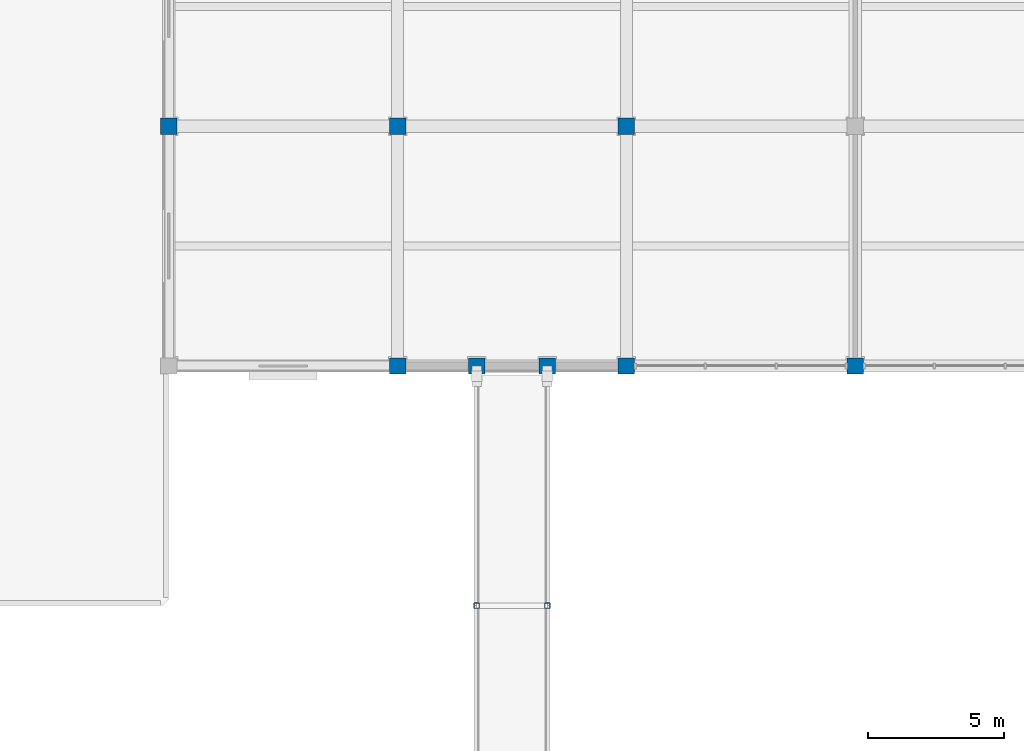
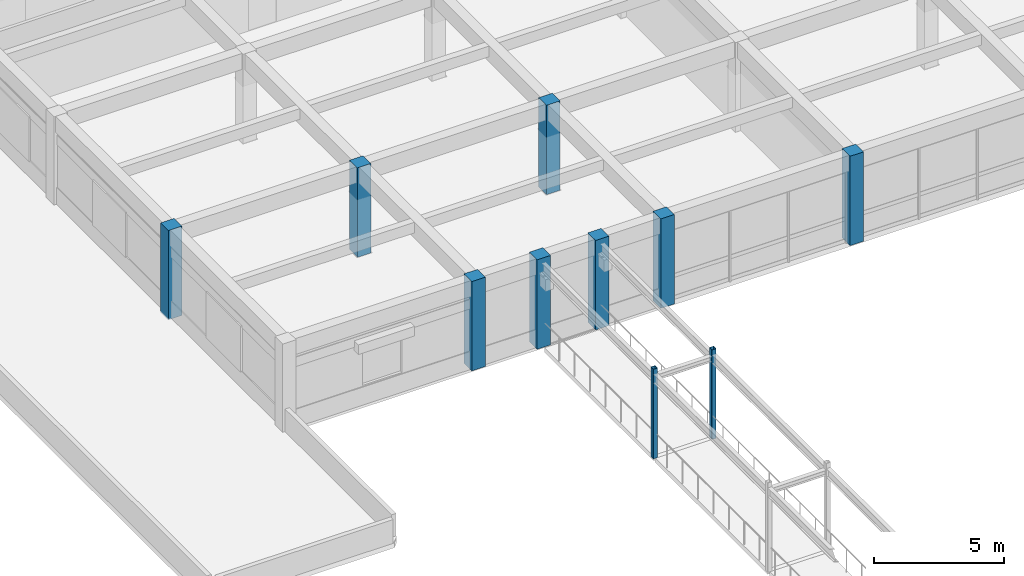
# One storey, part 6 of 57: 10 columns.
"""IFC4 building model written with IfcOpenShell, lengths in metres."""

from ifc_helpers import new_model, si_unit, direction, frame, origin, origin_2d, place, context, subcontext, project, spatial, rectangle, hollow_rectangle, extrude, material, material_profile, profile_set, type_object, element, save


model = new_model("IFC4")

# Units and contexts
model_context = context("Model", 3, precision=1e-05, world=origin(), true_north=direction((0.0, 1.0)))
body_context = subcontext(model_context, "Body", "Model", "MODEL_VIEW")
ifc_project = project(units=[si_unit("LENGTHUNIT", "METRE"), si_unit("AREAUNIT", "SQUARE_METRE"), si_unit("VOLUMEUNIT", "CUBIC_METRE"), si_unit("PLANEANGLEUNIT", "RADIAN"), si_unit("MASSUNIT", "GRAM", prefix="KILO")], contexts=[model_context])

# Site, building, storey
site_placement = place(None, origin())
site = spatial("IfcSite", under=ifc_project, at=site_placement, CompositionType="ELEMENT")
building_placement = place(site_placement, origin())
building = spatial("IfcBuilding", under=site, at=building_placement, Name="Kemercrest Conservatory and Botanical Centre", CompositionType="ELEMENT")
storey_placement = place(building_placement, frame((0.0, 0.0, 4.800048828125)))
storey = spatial("IfcBuildingStorey", under=building, at=storey_placement, Name="L01", CompositionType="ELEMENT", Elevation=4.800048828125)

# Columns
ifc_material_1 = material(Name="Concrete C40/50", Category="concrete")
ifc_material_profile_1 = material_profile(ifc_material_1, rectangle(XDim=0.60009765625, YDim=0.60009765625, at=origin_2d()), Name="RC 600x600")
ifc_profile_set_1 = profile_set([ifc_material_profile_1], Name="Concrete C40/50")
column_type_1 = type_object("IfcColumnType", Name="C-RC60", PredefinedType="COLUMN", material=ifc_profile_set_1)
for number, where, z_axis, x_axis, name in (
    (1, (16.39990234375, 96.0, 0.0), (0.0, 0.0, 1.0), (1.0, 0.0, 0.0), "Visitor Wing column 02/L"),
    (2, (24.800048828125, 87.199951171875, 0.0), (0.0, 0.0, 1.0), (1.0, 0.0, 0.0), "Visitor Wing column 03/K"),
    (3, (24.800048828125, 96.0, 0.0), (0.0, 0.0, 1.0), (1.0, 0.0, 0.0), "Visitor Wing column 03/L"),
    (4, (33.199951171875, 87.199951171875, 0.0), (0.0, 0.0, 1.0), (1.0, 0.0, 0.0), "Visitor Wing column 04/K"),
    (5, (33.199951171875, 96.0, 0.0), (0.0, 0.0, 1.0), (1.0, 0.0, 0.0), "Visitor Wing column 04/L"),
    (6, (41.60009765625, 87.199951171875, 0.0), (0.0, 0.0, 1.0), (1.0, 0.0, 0.0), "Visitor Wing column 05/K"),
    (7, (27.699951171875, 87.199951171875, 0.0), (0.0, 0.0, 1.0), (1.0, 0.0, 0.0), "West Botanical Court Covered Passage SJ-2 rcv pier column 1"),
    (8, (30.300048828125, 87.199951171875, 0.0), (0.0, 0.0, 1.0), (1.0, 0.0, 0.0), "West Botanical Court Covered Passage SJ-2 rcv pier column 2"),
):
    element("IfcColumn", number, at=place(storey_placement, frame(where, z_axis=z_axis, x_axis=x_axis)), inside=storey, type_object=column_type_1, Name=name, PredefinedType="COLUMN", context=body_context, shape_type="SweptSolid", body=[
        extrude(rectangle(XDim=0.60009765625, YDim=0.60009765625, at=origin_2d()), origin(), (0.0, 0.0, 1.0), 4.199951171875),
    ])
ifc_material_2 = material(Name="Steel CSA G40.21 350W", Category="steel")
ifc_material_profile_2 = material_profile(ifc_material_2, hollow_rectangle(XDim=0.203125, YDim=0.203125, WallThickness=0.0126953125, InnerFilletRadius=0.0126953125, OuterFilletRadius=0.02490234375, at=origin_2d()), Name="HSS 203x203x12.7")
ifc_profile_set_2 = profile_set([ifc_material_profile_2], Name="Steel CSA G40.21 350W")
column_type_2 = type_object("IfcColumnType", Name="C-S203", PredefinedType="COLUMN", material=ifc_profile_set_2)
for number, where, z_axis, x_axis, name in (
    (9, (27.699951171875, 78.39990234375, 0.0), (0.0, 0.0, 1.0), (1.0, 0.0, 0.0), "West Botanical Court Covered Passage SJ-2 support column P2-1"),
    (10, (30.300048828125, 78.39990234375, 0.0), (0.0, 0.0, 1.0), (1.0, 0.0, 0.0), "West Botanical Court Covered Passage SJ-2 support column P2-2"),
):
    element("IfcColumn", number, at=place(storey_placement, frame(where, z_axis=z_axis, x_axis=x_axis)), inside=storey, type_object=column_type_2, Name=name, PredefinedType="COLUMN", context=body_context, shape_type="SweptSolid", body=[
        extrude(hollow_rectangle(XDim=0.203125, YDim=0.203125, WallThickness=0.0126953125, InnerFilletRadius=0.0126953125, OuterFilletRadius=0.02490234375, at=origin_2d()), origin(), (0.0, 0.0, 1.0), 4.199951171875),
    ])

save(model, "model.ifc")
